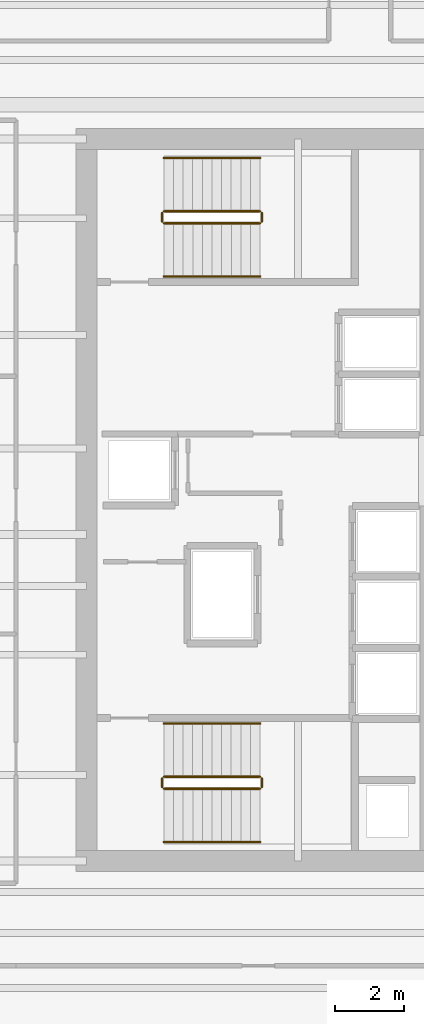
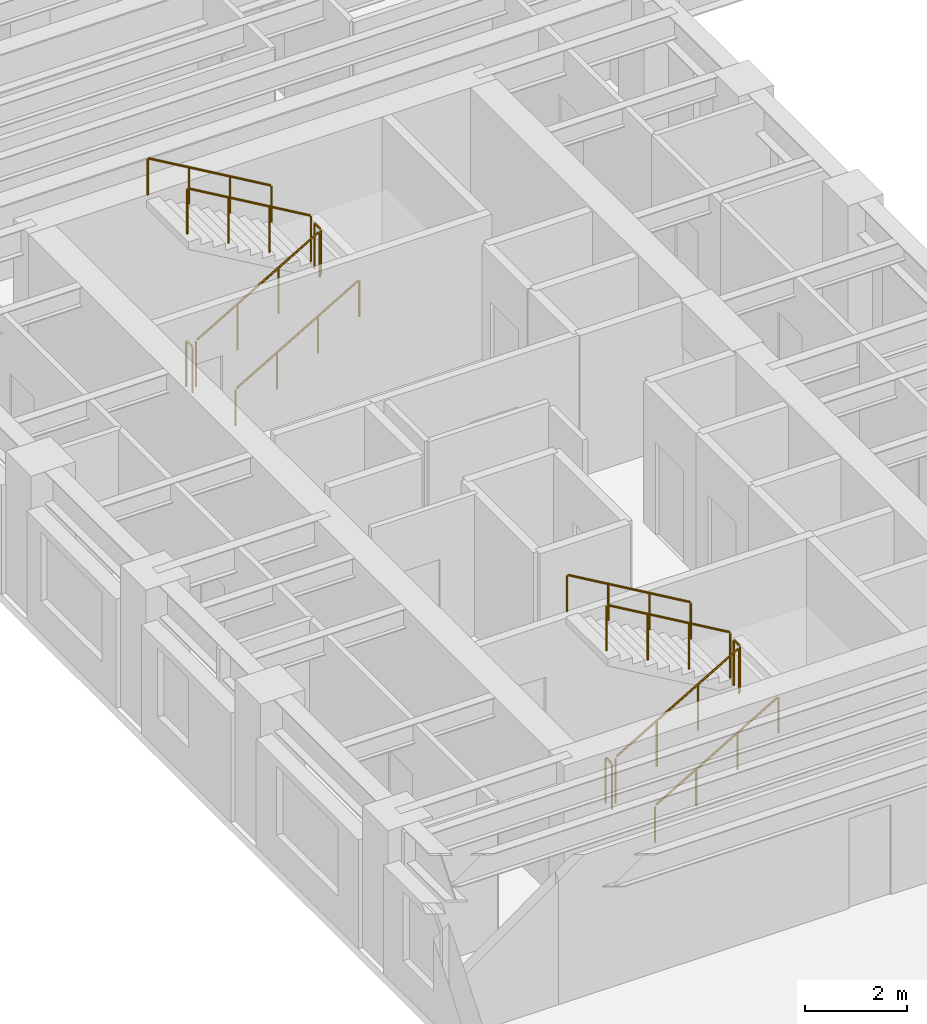
# One storey, part 12 of 13: 12 railings.
"""IFC4 building model written with IfcOpenShell, lengths in metres."""

import ifcopenshell
import ifcopenshell.guid

model = None  # the IFC model being written
_history = None  # IfcOwnerHistory: only IFC2X3 demands one
_inside = {}  # id of a spatial element -> (the spatial element, [elements in it])
_under = {}  # id of a project, library or spatial element -> (it, [spatial elements below it])
_declared = {}  # id of a project -> (the project, [libraries it declares])
_typed = {}  # id of a type object -> (the type object, [elements of that type])
_made_of = {}  # id of a material, layer set ... -> (it, [elements and type objects made of it])


def new_model(schema):
    """Start an empty IFC model of exactly this schema.

    Asked for "IFC4X3", IfcOpenShell would pick the latest addendum, in which some entities
    have other attributes; the version numbers below select the first issue.
    IFC2X3 requires an IfcOwnerHistory on every rooted entity: one is made here for all.
    """
    global model, _history
    if schema == "IFC4X3":
        model = ifcopenshell.file(schema_version=(4, 3, 0, 0))
    else:
        model = ifcopenshell.file(schema=schema)
    _inside.clear()
    _under.clear()
    _declared.clear()
    _typed.clear()
    _made_of.clear()
    _history = None
    if model.schema == "IFC2X3":
        org = make("IfcOrganization", Name="unknown")
        user = make(
            "IfcPersonAndOrganization",
            ThePerson=make("IfcPerson", FamilyName="unknown"),
            TheOrganization=org,
        )
        app = make(
            "IfcApplication",
            ApplicationDeveloper=org,
            Version="unknown",
            ApplicationFullName="unknown",
            ApplicationIdentifier="unknown",
        )
        _history = make(
            "IfcOwnerHistory",
            OwningUser=user,
            OwningApplication=app,
            ChangeAction="ADDED",
            CreationDate=0,
        )
    return model


def make(cls, **values):
    """One entity of the class cls with the attributes given. An attribute that is None is left unset."""
    return model.create_entity(
        cls, **{name: value for name, value in values.items() if value is not None}
    )


def rooted(cls, **values):
    """An entity with a GlobalId (a new one), such as an element, a storey or a relation."""
    return make(cls, GlobalId=ifcopenshell.guid.new(), OwnerHistory=_history, **values)


def si_unit(unit_type, name, prefix=None):
    """IfcSIUnit, for example si_unit("LENGTHUNIT", "METRE", prefix="MILLI")."""
    return make("IfcSIUnit", UnitType=unit_type, Prefix=prefix, Name=name)


def assignment(units):
    """IfcUnitAssignment: the units of a project."""
    return None if units is None else make("IfcUnitAssignment", Units=units)


def point(xyz):
    """IfcCartesianPoint."""
    return None if xyz is None else make("IfcCartesianPoint", Coordinates=xyz)


def direction(xyz):
    """IfcDirection."""
    return None if xyz is None else make("IfcDirection", DirectionRatios=xyz)


def frame(location, z_axis=None, x_axis=None):
    """IfcAxis2Placement3D, a coordinate frame: its origin and axes. An axis left out is left unset."""
    return make(
        "IfcAxis2Placement3D",
        Location=point(location),
        Axis=direction(z_axis),
        RefDirection=direction(x_axis),
    )


def frame_2d(location, x_axis=None):
    """IfcAxis2Placement2D, a coordinate frame in the plane: its origin and x axis."""
    return make(
        "IfcAxis2Placement2D", Location=point(location), RefDirection=direction(x_axis)
    )


def origin():
    """The frame at (0, 0, 0) with its axes left unset."""
    return frame((0.0, 0.0, 0.0))


def origin_2d():
    """The frame at (0, 0) in the plane with its x axis left unset."""
    return frame_2d((0.0, 0.0))


def place(relative_to, where):
    """IfcLocalPlacement: puts the frame where relative to a parent placement (None: the world)."""
    return make(
        "IfcLocalPlacement", PlacementRelTo=relative_to, RelativePlacement=where
    )


def context(
    kind, dimensions, precision=None, world=None, true_north=None, identifier=None
):
    """IfcGeometricRepresentationContext, for example the 3D "Model" context."""
    return make(
        "IfcGeometricRepresentationContext",
        ContextIdentifier=identifier,
        ContextType=kind,
        CoordinateSpaceDimension=dimensions,
        Precision=precision,
        WorldCoordinateSystem=world,
        TrueNorth=true_north,
    )


def subcontext(parent, identifier, kind, view, scale=None):
    """IfcGeometricRepresentationSubContext, for example "Body" below "Model"."""
    return make(
        "IfcGeometricRepresentationSubContext",
        ContextIdentifier=identifier,
        ContextType=kind,
        ParentContext=parent,
        TargetScale=scale,
        TargetView=view,
    )


def project(units=None, contexts=None):
    """IfcProject with its units and contexts."""
    return rooted(
        "IfcProject",
        Name="project",
        RepresentationContexts=contexts,
        UnitsInContext=assignment(units),
    )


def spatial(cls, under=None, at=None, **own):
    """A site, building, storey or space (cls), placed at a placement, below another one or the project."""
    s = rooted(cls, ObjectPlacement=at, **own)
    if under is not None:
        _under.setdefault(under.id(), (under, []))[1].append(s)
    return s


def profile(cls, at=None, kind="AREA", **sizes):
    """A parametric profile (cls). Its sizes go by their IFC names, for example OverallWidth=200.0."""
    return make(cls, ProfileType=kind, Position=at, **sizes)


def circle(**sizes):
    """IfcCircleProfileDef."""
    return profile("IfcCircleProfileDef", **sizes)


def extrude(swept, where, along, depth):
    """IfcExtrudedAreaSolid: the profile swept, set in the frame where, extruded along a direction by depth."""
    return make(
        "IfcExtrudedAreaSolid",
        SweptArea=swept,
        Position=where,
        ExtrudedDirection=direction(along),
        Depth=depth,
    )


def shape(context_of_items, identifier, shape_type, items):
    """IfcShapeRepresentation: the items that make up one representation, for example the "Body"."""
    return make(
        "IfcShapeRepresentation",
        ContextOfItems=context_of_items,
        RepresentationIdentifier=identifier,
        RepresentationType=shape_type,
        Items=items,
    )


def source(mapping_origin, context_of_items, identifier, shape_type, items):
    """IfcRepresentationMap: a shape defined once, which mapped items show again and again."""
    return make(
        "IfcRepresentationMap",
        MappingOrigin=mapping_origin,
        MappedRepresentation=shape(context_of_items, identifier, shape_type, items),
    )


def transform(
    local_origin,
    x_axis=None,
    y_axis=None,
    z_axis=None,
    scale=None,
    scale2=None,
    scale3=None,
    uniform=True,
):
    """IfcCartesianTransformationOperator3D, or its non-uniform kind. x_axis, y_axis, z_axis: its Axis1, 2, 3."""
    if uniform:
        return make(
            "IfcCartesianTransformationOperator3D",
            Axis1=direction(x_axis),
            Axis2=direction(y_axis),
            LocalOrigin=point(local_origin),
            Scale=scale,
            Axis3=direction(z_axis),
        )
    return make(
        "IfcCartesianTransformationOperator3DnonUniform",
        Axis1=direction(x_axis),
        Axis2=direction(y_axis),
        LocalOrigin=point(local_origin),
        Scale=scale,
        Axis3=direction(z_axis),
        Scale2=scale2,
        Scale3=scale3,
    )


def mapped(mapping_source, mapping_target):
    """IfcMappedItem: shows the shape of a source again, moved by a transform."""
    return make(
        "IfcMappedItem", MappingSource=mapping_source, MappingTarget=mapping_target
    )


def material(Name=None, Category=None):
    """IfcMaterial."""
    return make("IfcMaterial", Name=Name, Category=Category)


def layer(
    of_material, thickness, ventilated=None, Name=None, Category=None, Priority=None
):
    """IfcMaterialLayer: one layer of a wall or slab, of a material (None: an air gap)."""
    return make(
        "IfcMaterialLayer",
        Material=of_material,
        LayerThickness=thickness,
        IsVentilated=ventilated,
        Name=Name,
        Category=Category,
        Priority=Priority,
    )


def layer_set(layers, Name=None):
    """IfcMaterialLayerSet."""
    return make("IfcMaterialLayerSet", MaterialLayers=layers, LayerSetName=Name)


def made_of(thing, what):
    """Note that an element or type object is made of a material, layer set ...; save() writes the relation."""
    if what is not None:
        _made_of.setdefault(what.id(), (what, []))[1].append(thing)
    return thing


def type_object(cls, material=None, **own):
    """A type object (cls), such as IfcWallType, which elements share."""
    return made_of(rooted(cls, **own), material)


def element(
    cls,
    number,
    at=None,
    inside=None,
    cuts=None,
    type_object=None,
    material=None,
    context=None,
    identifier="Body",
    shape_type=None,
    held_by="IfcProductDefinitionShape",
    body=None,
    shapes=None,
    **own,
):
    """One element of the class cls, such as IfcWall. Its Tag is "e" and its number.

    at: its placement. inside: the storey or other place that contains it. cuts: it is an
    opening in that element (IfcRelVoidsElement). A single representation is given by context,
    identifier, shape_type and body (its items); several are given by shapes. held_by: the class
    of the entity that holds the representations. save() writes the other relations.
    """
    e = rooted(cls, Tag="e%d" % number, ObjectPlacement=at, **own)
    if body is not None:
        shapes = [shape(context, identifier, shape_type, body)]
    if shapes is not None:
        e.Representation = make(held_by, Representations=shapes)
    if inside is not None:
        _inside.setdefault(inside.id(), (inside, []))[1].append(e)
    if cuts is not None:
        rooted(
            "IfcRelVoidsElement", RelatingBuildingElement=cuts, RelatedOpeningElement=e
        )
    if type_object is not None:
        _typed.setdefault(type_object.id(), (type_object, []))[1].append(e)
    return made_of(e, material)


def aggregate(whole, parts):
    """IfcRelAggregates: a whole, such as a stair, and the parts it consists of."""
    return rooted("IfcRelAggregates", RelatingObject=whole, RelatedObjects=parts)


def save(model, path):
    """Write the relations noted so far, then the file.

    IfcRelAggregates (storeys below a building ...), IfcRelContainedInSpatialStructure (elements
    in a storey), IfcRelDefinesByType, IfcRelAssociatesMaterial and IfcRelDeclares: one each for
    every whole, place, type object, material and project.
    """
    for whole, parts in _under.values():
        aggregate(whole, parts)
    for where, things in _inside.values():
        rooted(
            "IfcRelContainedInSpatialStructure",
            RelatedElements=things,
            RelatingStructure=where,
        )
    for kind, things in _typed.values():
        rooted("IfcRelDefinesByType", RelatedObjects=things, RelatingType=kind)
    for what, things in _made_of.values():
        rooted("IfcRelAssociatesMaterial", RelatedObjects=things, RelatingMaterial=what)
    for by, libraries in _declared.values():
        rooted("IfcRelDeclares", RelatingContext=by, RelatedDefinitions=libraries)
    model.write(path)


model = new_model("IFC4")

# Units and contexts
model_context = context("Model", 3, precision=1e-05, world=origin(), true_north=direction((0.0, 1.0)))
body_context = subcontext(model_context, "Body", "Model", "MODEL_VIEW")
ifc_project = project(units=[si_unit("LENGTHUNIT", "METRE"), si_unit("AREAUNIT", "SQUARE_METRE"), si_unit("VOLUMEUNIT", "CUBIC_METRE"), si_unit("PLANEANGLEUNIT", "RADIAN"), si_unit("MASSUNIT", "GRAM", prefix="KILO")], contexts=[model_context])

# Site, building, storey
site_placement = place(None, origin())
site = spatial("IfcSite", under=ifc_project, at=site_placement, CompositionType="ELEMENT")
building_placement = place(site_placement, origin())
building = spatial("IfcBuilding", under=site, at=building_placement, Name="Kharzan Plaza Tower", CompositionType="ELEMENT")
storey_placement = place(building_placement, frame((0.0, 0.0, 197.10009765625)))
storey = spatial("IfcBuildingStorey", under=building, at=storey_placement, Name="L53", CompositionType="ELEMENT", Elevation=197.10009765625)

# Railings
ifc_material_1 = material(Name="Painted Galvanized Architectural Steel", Category="steel")
ifc_layer_1 = layer(ifc_material_1, 0.074951171875)
ifc_layer_set_1 = layer_set([ifc_layer_1], Name="Painted Galvanized Architectural Steel")
railing_type_1 = type_object("IfcRailingType", Name="RL-GUARD-1120", PredefinedType="BALUSTRADE", material=ifc_layer_set_1)
shared_shape_1 = source(origin(), body_context, "Body", "SweptSolid", [
    extrude(circle(Radius=0.02392578125, at=origin_2d()), frame((0.0, 0.0263671875, 1.09619140625), z_axis=(0.0, 1.0, 0.0), x_axis=(-1.0, 0.0, 0.0)), (0.0, 0.0, 1.0), 0.197021484375),
    extrude(circle(Radius=0.02099609375, at=origin_2d()), origin(), (0.0, 0.0, 1.0), 1.072021484375),
    extrude(circle(Radius=0.02099609375, at=origin_2d()), frame((0.0, 0.25, 0.0)), (0.0, 0.0, 1.0), 1.072021484375),
])
for number, where, name in (
    (1, (9.60009765625, 10.64990234375, 1.7998046875), "L53 ST-1 stair guard 2"),
    (2, (6.699951171875, 10.64990234375, 0.0), "L53 ST-1 stair guard 4"),
    (3, (9.60009765625, 27.10009765625, 1.7998046875), "L53 ST-2 stair guard 2"),
    (4, (6.699951171875, 27.10009765625, 0.0), "L53 ST-2 stair guard 4"),
):
    element("IfcRailing", number, at=place(storey_placement, frame(where)), inside=storey, type_object=railing_type_1, Name=name, PredefinedType="BALUSTRADE", context=body_context, shape_type="MappedRepresentation", body=[
        mapped(shared_shape_1, transform((0.0, 0.0, 0.0), x_axis=(1.0, 0.0, 0.0), y_axis=(0.0, 1.0, 0.0), z_axis=(0.0, 0.0, 1.0))),
    ])
shared_shape_2 = source(origin(), body_context, "Body", "SweptSolid", [
    extrude(circle(Radius=0.02392578125, at=origin_2d()), frame((0.02294921875, 0.0, 1.109375), z_axis=(0.863393664356, 0.0, 0.504530851732), x_axis=(0.0, 1.0, 0.0)), (0.0, 0.0, 1.0), 3.190185546875),
    extrude(circle(Radius=0.02099609375, at=origin_2d()), origin(), (0.0, 0.0, 1.0), 1.072021484375),
    extrude(circle(Radius=0.02099609375, at=origin_2d()), frame((0.933349609375, 0.0, 0.54541015625)), (0.0, 0.0, 1.0), 1.072021484375),
    extrude(circle(Radius=0.02099609375, at=origin_2d()), frame((1.86669921875, 0.0, 1.0908203125)), (0.0, 0.0, 1.0), 1.072021484375),
    extrude(circle(Radius=0.02099609375, at=origin_2d()), frame((2.800048828125, 0.0, 1.63623046875)), (0.0, 0.0, 1.0), 1.072021484375),
])
for number, where, name in (
    (5, (6.75, 10.60009765625, 0.16357421875), "L53 ST-1 stair guard 1"),
    (6, (6.75, 27.050048828125, 0.16357421875), "L53 ST-2 stair guard 1"),
):
    element("IfcRailing", number, at=place(storey_placement, frame(where)), inside=storey, type_object=railing_type_1, Name=name, PredefinedType="BALUSTRADE", context=body_context, shape_type="MappedRepresentation", body=[
        mapped(shared_shape_2, transform((0.0, 0.0, 0.0), x_axis=(1.0, 0.0, 0.0), y_axis=(0.0, 1.0, 0.0), z_axis=(0.0, 0.0, 1.0))),
    ])
shared_shape_3 = source(origin(), body_context, "Body", "SweptSolid", [
    extrude(circle(Radius=0.02392578125, at=origin_2d()), frame((-0.02294921875, 0.0, 1.109375), z_axis=(-0.863393664356, 0.0, 0.504530851732), x_axis=(0.0, -1.0, 0.0)), (0.0, 0.0, 1.0), 3.190185546875),
    extrude(circle(Radius=0.02099609375, at=origin_2d()), origin(), (0.0, 0.0, 1.0), 1.072021484375),
    extrude(circle(Radius=0.02099609375, at=origin_2d()), frame((-0.933349609375, 0.0, 0.54541015625)), (0.0, 0.0, 1.0), 1.072021484375),
    extrude(circle(Radius=0.02099609375, at=origin_2d()), frame((-1.86669921875, 0.0, 1.0908203125)), (0.0, 0.0, 1.0), 1.072021484375),
    extrude(circle(Radius=0.02099609375, at=origin_2d()), frame((-2.800048828125, 0.0, 1.63623046875)), (0.0, 0.0, 1.0), 1.072021484375),
])
for number, where, name in (
    (7, (9.550048828125, 10.949951171875, 1.963623046875), "L53 ST-1 stair guard 3"),
    (8, (9.550048828125, 27.39990234375, 1.963623046875), "L53 ST-2 stair guard 3"),
):
    element("IfcRailing", number, at=place(storey_placement, frame(where)), inside=storey, type_object=railing_type_1, Name=name, PredefinedType="BALUSTRADE", context=body_context, shape_type="MappedRepresentation", body=[
        mapped(shared_shape_3, transform((0.0, 0.0, 0.0), x_axis=(1.0, 0.0, 0.0), y_axis=(0.0, 1.0, 0.0), z_axis=(0.0, 0.0, 1.0))),
    ])
ifc_material_2 = material(Name="Brushed Stainless Steel", Category="steel")
ifc_layer_2 = layer(ifc_material_2, 0.050048828125)
ifc_layer_set_2 = layer_set([ifc_layer_2], Name="Brushed Stainless Steel")
railing_type_2 = type_object("IfcRailingType", Name="RL-STAIR-HR920", PredefinedType="HANDRAIL", material=ifc_layer_set_2)
shared_shape_4 = source(origin(), body_context, "Body", "SweptSolid", [
    extrude(circle(Radius=0.02392578125, at=origin_2d()), frame((0.02294921875, 0.0, 0.88916015625), z_axis=(0.863393664356, 0.0, 0.504530851732), x_axis=(0.0, 1.0, 0.0)), (0.0, 0.0, 1.0), 3.190185546875),
    extrude(circle(Radius=0.02099609375, at=origin_2d()), origin(), (0.0, 0.0, 1.0), 0.851806640625),
    extrude(circle(Radius=0.02099609375, at=origin_2d()), frame((0.933349609375, 0.0, 0.54541015625)), (0.0, 0.0, 1.0), 0.851806640625),
    extrude(circle(Radius=0.02099609375, at=origin_2d()), frame((1.86669921875, 0.0, 1.0908203125)), (0.0, 0.0, 1.0), 0.851806640625),
    extrude(circle(Radius=0.02099609375, at=origin_2d()), frame((2.800048828125, 0.0, 1.63623046875)), (0.0, 0.0, 1.0), 0.851806640625),
])
for number, where, name in (
    (9, (6.75, 9.050048828125, 0.16357421875), "L53 ST-1 stair handrail 1"),
    (10, (6.75, 25.5, 0.16357421875), "L53 ST-2 stair handrail 1"),
):
    element("IfcRailing", number, at=place(storey_placement, frame(where)), inside=storey, type_object=railing_type_2, Name=name, PredefinedType="HANDRAIL", context=body_context, shape_type="MappedRepresentation", body=[
        mapped(shared_shape_4, transform((0.0, 0.0, 0.0), x_axis=(1.0, 0.0, 0.0), y_axis=(0.0, 1.0, 0.0), z_axis=(0.0, 0.0, 1.0))),
    ])
shared_shape_5 = source(origin(), body_context, "Body", "SweptSolid", [
    extrude(circle(Radius=0.02392578125, at=origin_2d()), frame((-0.02294921875, 0.0, 0.88916015625), z_axis=(-0.863393664356, 0.0, 0.504530851732), x_axis=(0.0, -1.0, 0.0)), (0.0, 0.0, 1.0), 3.190185546875),
    extrude(circle(Radius=0.02099609375, at=origin_2d()), origin(), (0.0, 0.0, 1.0), 0.851806640625),
    extrude(circle(Radius=0.02099609375, at=origin_2d()), frame((-0.933349609375, 0.0, 0.54541015625)), (0.0, 0.0, 1.0), 0.851806640625),
    extrude(circle(Radius=0.02099609375, at=origin_2d()), frame((-1.86669921875, 0.0, 1.0908203125)), (0.0, 0.0, 1.0), 0.851806640625),
    extrude(circle(Radius=0.02099609375, at=origin_2d()), frame((-2.800048828125, 0.0, 1.63623046875)), (0.0, 0.0, 1.0), 0.851806640625),
])
for number, where, name in (
    (11, (9.550048828125, 12.5, 1.963623046875), "L53 ST-1 stair handrail 2"),
    (12, (9.550048828125, 28.949951171875, 1.963623046875), "L53 ST-2 stair handrail 2"),
):
    element("IfcRailing", number, at=place(storey_placement, frame(where)), inside=storey, type_object=railing_type_2, Name=name, PredefinedType="HANDRAIL", context=body_context, shape_type="MappedRepresentation", body=[
        mapped(shared_shape_5, transform((0.0, 0.0, 0.0), x_axis=(1.0, 0.0, 0.0), y_axis=(0.0, 1.0, 0.0), z_axis=(0.0, 0.0, 1.0))),
    ])

save(model, "model.ifc")
